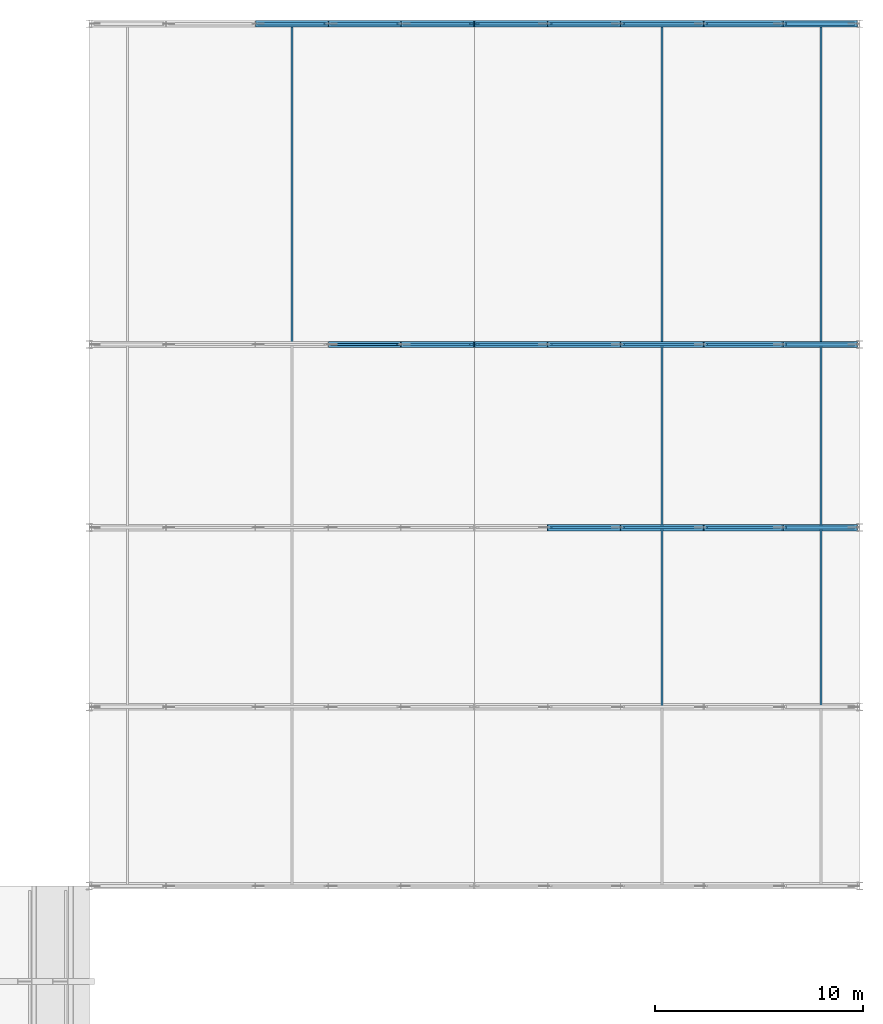
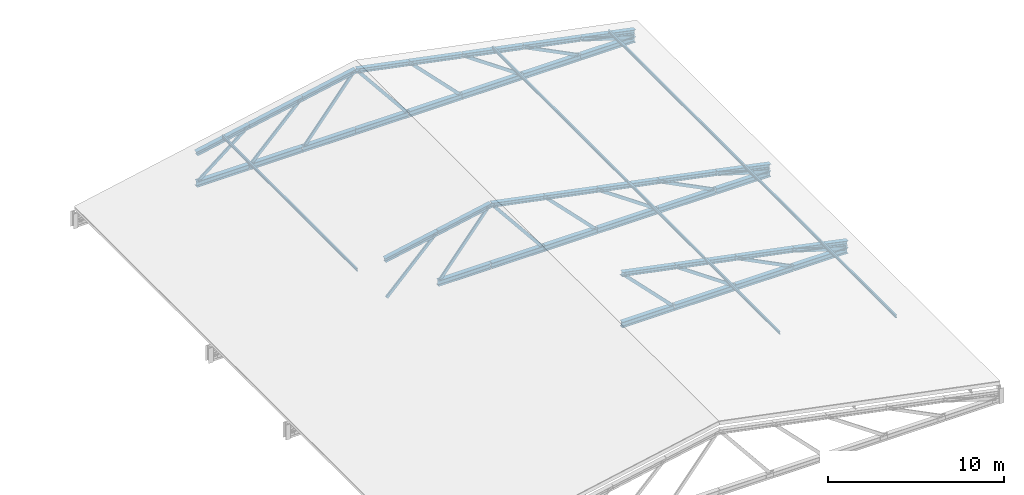
# One storey, part 18 of 47: 56 members, 7 beams.
"""IFC4 building model written with IfcOpenShell, lengths in metres."""

from ifc_helpers import new_model, si_unit, direction, frame, origin, origin_2d, place, context, subcontext, project, spatial, hollow_rectangle, i_section, extrude, material, material_profile, profile_set, type_object, element, save


model = new_model("IFC4")

# Units and contexts
model_context = context("Model", 3, precision=1e-05, world=origin(), true_north=direction((0.0, 1.0)))
body_context = subcontext(model_context, "Body", "Model", "MODEL_VIEW")
ifc_project = project(units=[si_unit("LENGTHUNIT", "METRE"), si_unit("AREAUNIT", "SQUARE_METRE"), si_unit("VOLUMEUNIT", "CUBIC_METRE"), si_unit("PLANEANGLEUNIT", "RADIAN"), si_unit("MASSUNIT", "GRAM", prefix="KILO")], contexts=[model_context])

# Site, building, storey
site_placement = place(None, origin())
site = spatial("IfcSite", under=ifc_project, at=site_placement, CompositionType="ELEMENT")
building_placement = place(site_placement, origin())
building = spatial("IfcBuilding", under=site, at=building_placement, Name="Muzn Square Opera House", CompositionType="ELEMENT")
storey_placement = place(building_placement, frame((0.0, 0.0, 31.0)))
storey = spatial("IfcBuildingStorey", under=building, at=storey_placement, Name="RF-1", CompositionType="ELEMENT", Elevation=31.0)

# Members
ifc_material = material(Name="Steel S355", Category="steel")
ifc_material_profile_1 = material_profile(ifc_material, hollow_rectangle(XDim=0.10009765625, YDim=0.199951171875, WallThickness=0.008056640625, at=origin_2d()), Name="RHS 200x100x8", Category="steel")
ifc_profile_set_1 = profile_set([ifc_material_profile_1], Name="Steel S355")
member_type_1 = type_object("IfcMemberType", Name="Pavilion Truss Brace RHS200x100", PredefinedType="BRACE", material=ifc_profile_set_1)
member_1_placement = place(storey_placement, frame((158.35009765625, 89.800048828125, -7.239990234375), z_axis=(-0.700529716954, 0.0, 0.713623230889), x_axis=(0.0, -1.0, 0.0)))
element("IfcMember", 1, at=member_1_placement, inside=storey, type_object=member_type_1, Name="Rehearsal Roof Truss Diagonal T3-6", PredefinedType="BRACE", context=body_context, shape_type="SweptSolid", body=[
    extrude(hollow_rectangle(XDim=0.10009765625, YDim=0.199951171875, WallThickness=0.008056640625, at=origin_2d()), origin(), (0.0, 0.0, 1.0), 4.568359375),
])
member_2_placement = place(storey_placement, frame((162.35009765625, 89.800048828125, -7.239990234375), z_axis=(-0.822360143896, 0.0, 0.568967304625), x_axis=(0.0, -1.0, 0.0)))
element("IfcMember", 2, at=member_2_placement, inside=storey, type_object=member_type_1, Name="Rehearsal Roof Truss Diagonal T3-7", PredefinedType="BRACE", context=body_context, shape_type="SweptSolid", body=[
    extrude(hollow_rectangle(XDim=0.10009765625, YDim=0.199951171875, WallThickness=0.008056640625, at=origin_2d()), origin(), (0.0, 0.0, 1.0), 4.49951171875),
])
member_3_placement = place(storey_placement, frame((166.14990234375, 89.800048828125, -7.239990234375), z_axis=(-0.893402826425, 0.0, 0.44925648547), x_axis=(0.0, -1.0, 0.0)))
element("IfcMember", 3, at=member_3_placement, inside=storey, type_object=member_type_1, Name="Rehearsal Roof Truss Diagonal T3-8", PredefinedType="BRACE", context=body_context, shape_type="SweptSolid", body=[
    extrude(hollow_rectangle(XDim=0.10009765625, YDim=0.199951171875, WallThickness=0.008056640625, at=origin_2d()), origin(), (0.0, 0.0, 1.0), 3.917724609375),
])
member_4_placement = place(storey_placement, frame((144.64990234375, 98.60009765625, -7.239990234375), z_axis=(0.700529716954, 0.0, 0.713623230889), x_axis=(0.0, 1.0, 0.0)))
element("IfcMember", 4, at=member_4_placement, inside=storey, type_object=member_type_1, Name="Rehearsal Roof Truss Diagonal T4-3", PredefinedType="BRACE", context=body_context, shape_type="SweptSolid", body=[
    extrude(hollow_rectangle(XDim=0.10009765625, YDim=0.199951171875, WallThickness=0.008056640625, at=origin_2d()), origin(), (0.0, 0.0, 1.0), 4.568359375),
])
for number, where, z_axis, x_axis, name in (
    (5, (148.14990234375, 98.60009765625, -7.239990234375), (0.62854691989, 0.0, 0.777771669256), (0.0, 1.0, 0.0), "Rehearsal Roof Truss Diagonal T4-4"),
    (6, (154.85009765625, 98.60009765625, -7.239990234375), (-0.62854691989, 0.0, 0.777771669256), (0.0, -1.0, 0.0), "Rehearsal Roof Truss Diagonal T4-5"),
):
    element("IfcMember", number, at=place(storey_placement, frame(where, z_axis=z_axis, x_axis=x_axis)), inside=storey, type_object=member_type_1, Name=name, PredefinedType="BRACE", context=body_context, shape_type="SweptSolid", body=[
        extrude(hollow_rectangle(XDim=0.10009765625, YDim=0.199951171875, WallThickness=0.008056640625, at=origin_2d()), origin(), (0.0, 0.0, 1.0), 5.09130859375),
    ])
member_5_placement = place(storey_placement, frame((158.35009765625, 98.60009765625, -7.239990234375), z_axis=(-0.700529716954, 0.0, 0.713623230889), x_axis=(0.0, -1.0, 0.0)))
element("IfcMember", 7, at=member_5_placement, inside=storey, type_object=member_type_1, Name="Rehearsal Roof Truss Diagonal T4-6", PredefinedType="BRACE", context=body_context, shape_type="SweptSolid", body=[
    extrude(hollow_rectangle(XDim=0.10009765625, YDim=0.199951171875, WallThickness=0.008056640625, at=origin_2d()), origin(), (0.0, 0.0, 1.0), 4.568359375),
])
member_6_placement = place(storey_placement, frame((162.35009765625, 98.60009765625, -7.239990234375), z_axis=(-0.822360143896, 0.0, 0.568967304625), x_axis=(0.0, -1.0, 0.0)))
element("IfcMember", 8, at=member_6_placement, inside=storey, type_object=member_type_1, Name="Rehearsal Roof Truss Diagonal T4-7", PredefinedType="BRACE", context=body_context, shape_type="SweptSolid", body=[
    extrude(hollow_rectangle(XDim=0.10009765625, YDim=0.199951171875, WallThickness=0.008056640625, at=origin_2d()), origin(), (0.0, 0.0, 1.0), 4.49951171875),
])
member_7_placement = place(storey_placement, frame((166.14990234375, 98.60009765625, -7.239990234375), z_axis=(-0.893402826425, 0.0, 0.44925648547), x_axis=(0.0, -1.0, 0.0)))
element("IfcMember", 9, at=member_7_placement, inside=storey, type_object=member_type_1, Name="Rehearsal Roof Truss Diagonal T4-8", PredefinedType="BRACE", context=body_context, shape_type="SweptSolid", body=[
    extrude(hollow_rectangle(XDim=0.10009765625, YDim=0.199951171875, WallThickness=0.008056640625, at=origin_2d()), origin(), (0.0, 0.0, 1.0), 3.917724609375),
])
member_8_placement = place(storey_placement, frame((141.14990234375, 114.0, -7.239990234375), z_axis=(0.780880433271, 0.0, 0.624680517492), x_axis=(0.0, 1.0, 0.0)))
element("IfcMember", 10, at=member_8_placement, inside=storey, type_object=member_type_1, Name="Rehearsal Roof Truss Diagonal T5-2", PredefinedType="BRACE", context=body_context, shape_type="SweptSolid", body=[
    extrude(hollow_rectangle(XDim=0.10009765625, YDim=0.199951171875, WallThickness=0.008056640625, at=origin_2d()), origin(), (0.0, 0.0, 1.0), 4.09814453125),
])
member_9_placement = place(storey_placement, frame((144.64990234375, 114.0, -7.239990234375), z_axis=(0.700529716954, 0.0, 0.713623230889), x_axis=(0.0, 1.0, 0.0)))
element("IfcMember", 11, at=member_9_placement, inside=storey, type_object=member_type_1, Name="Rehearsal Roof Truss Diagonal T5-3", PredefinedType="BRACE", context=body_context, shape_type="SweptSolid", body=[
    extrude(hollow_rectangle(XDim=0.10009765625, YDim=0.199951171875, WallThickness=0.008056640625, at=origin_2d()), origin(), (0.0, 0.0, 1.0), 4.568359375),
])
for number, where, z_axis, x_axis, name in (
    (12, (148.14990234375, 114.0, -7.239990234375), (0.62854691989, 0.0, 0.777771669256), (0.0, 1.0, 0.0), "Rehearsal Roof Truss Diagonal T5-4"),
    (13, (154.85009765625, 114.0, -7.239990234375), (-0.62854691989, 0.0, 0.777771669256), (0.0, -1.0, 0.0), "Rehearsal Roof Truss Diagonal T5-5"),
):
    element("IfcMember", number, at=place(storey_placement, frame(where, z_axis=z_axis, x_axis=x_axis)), inside=storey, type_object=member_type_1, Name=name, PredefinedType="BRACE", context=body_context, shape_type="SweptSolid", body=[
        extrude(hollow_rectangle(XDim=0.10009765625, YDim=0.199951171875, WallThickness=0.008056640625, at=origin_2d()), origin(), (0.0, 0.0, 1.0), 5.09130859375),
    ])
member_10_placement = place(storey_placement, frame((158.35009765625, 114.0, -7.239990234375), z_axis=(-0.700529716954, 0.0, 0.713623230889), x_axis=(0.0, -1.0, 0.0)))
element("IfcMember", 14, at=member_10_placement, inside=storey, type_object=member_type_1, Name="Rehearsal Roof Truss Diagonal T5-6", PredefinedType="BRACE", context=body_context, shape_type="SweptSolid", body=[
    extrude(hollow_rectangle(XDim=0.10009765625, YDim=0.199951171875, WallThickness=0.008056640625, at=origin_2d()), origin(), (0.0, 0.0, 1.0), 4.568359375),
])
member_11_placement = place(storey_placement, frame((162.35009765625, 114.0, -7.239990234375), z_axis=(-0.822360143896, 0.0, 0.568967304625), x_axis=(0.0, -1.0, 0.0)))
element("IfcMember", 15, at=member_11_placement, inside=storey, type_object=member_type_1, Name="Rehearsal Roof Truss Diagonal T5-7", PredefinedType="BRACE", context=body_context, shape_type="SweptSolid", body=[
    extrude(hollow_rectangle(XDim=0.10009765625, YDim=0.199951171875, WallThickness=0.008056640625, at=origin_2d()), origin(), (0.0, 0.0, 1.0), 4.49951171875),
])
member_12_placement = place(storey_placement, frame((166.14990234375, 114.0, -7.239990234375), z_axis=(-0.893402826425, 0.0, 0.44925648547), x_axis=(0.0, -1.0, 0.0)))
element("IfcMember", 16, at=member_12_placement, inside=storey, type_object=member_type_1, Name="Rehearsal Roof Truss Diagonal T5-8", PredefinedType="BRACE", context=body_context, shape_type="SweptSolid", body=[
    extrude(hollow_rectangle(XDim=0.10009765625, YDim=0.199951171875, WallThickness=0.008056640625, at=origin_2d()), origin(), (0.0, 0.0, 1.0), 3.917724609375),
])
ifc_material_profile_2 = material_profile(ifc_material, hollow_rectangle(XDim=0.14990234375, YDim=0.25, WallThickness=0.010009765625, at=origin_2d()), Name="RHS 250x150x10", Category="steel")
ifc_profile_set_2 = profile_set([ifc_material_profile_2], Name="Steel S355")
member_type_2 = type_object("IfcMemberType", Name="Pavilion Truss Brace RHS250x150", PredefinedType="BRACE", material=ifc_profile_set_2)
for number, where, z_axis, x_axis, name in (
    (17, (169.719970703125, 89.800048828125, -7.239990234375), (-0.95628392793, 0.0, 0.292439821472), (0.0, -1.0, 0.0), "Rehearsal Roof Truss Diagonal T3-9"),
    (18, (169.719970703125, 98.60009765625, -7.239990234375), (-0.95628392793, 0.0, 0.292439821472), (0.0, -1.0, 0.0), "Rehearsal Roof Truss Diagonal T4-9"),
    (19, (169.719970703125, 114.0, -7.239990234375), (-0.95628392793, 0.0, 0.292439821472), (0.0, -1.0, 0.0), "Rehearsal Roof Truss Diagonal T5-9"),
):
    element("IfcMember", number, at=place(storey_placement, frame(where, z_axis=z_axis, x_axis=x_axis)), inside=storey, type_object=member_type_2, Name=name, PredefinedType="BRACE", context=body_context, shape_type="SweptSolid", body=[
        extrude(hollow_rectangle(XDim=0.14990234375, YDim=0.25, WallThickness=0.010009765625, at=origin_2d()), origin(), (0.0, 0.0, 1.0), 3.41943359375),
    ])
ifc_material_profile_3 = material_profile(ifc_material, i_section(OverallWidth=0.300048828125, OverallDepth=0.389892578125, WebThickness=0.010986328125, FlangeThickness=0.01904296875, FilletRadius=0.027099609375, at=origin_2d()), Name="HEA 400", Category="steel")
ifc_profile_set_3 = profile_set([ifc_material_profile_3], Name="Steel S355")
member_type_3 = type_object("IfcMemberType", Name="Rehearsal Truss Chord HEA400", PredefinedType="CHORD", material=ifc_profile_set_3)
member_13_placement = place(storey_placement, frame((155.010009765625, 89.800048828125, -7.3798828125), z_axis=(1.0, 0.0, 0.0), x_axis=(0.0, 1.0, 0.0)))
element("IfcMember", 20, at=member_13_placement, inside=storey, type_object=member_type_3, Name="Rehearsal Roof Truss Bottom Chord T3-6", PredefinedType="CHORD", context=body_context, shape_type="SweptSolid", body=[
    extrude(i_section(OverallWidth=0.300048828125, OverallDepth=0.389892578125, WebThickness=0.010986328125, FlangeThickness=0.01904296875, FilletRadius=0.027099609375, at=origin_2d()), origin(), (0.0, 0.0, 1.0), 3.47998046875),
])
member_14_placement = place(storey_placement, frame((158.510009765625, 89.800048828125, -7.3798828125), z_axis=(1.0, 0.0, 0.0), x_axis=(0.0, 1.0, 0.0)))
element("IfcMember", 21, at=member_14_placement, inside=storey, type_object=member_type_3, Name="Rehearsal Roof Truss Bottom Chord T3-7", PredefinedType="CHORD", context=body_context, shape_type="SweptSolid", body=[
    extrude(i_section(OverallWidth=0.300048828125, OverallDepth=0.389892578125, WebThickness=0.010986328125, FlangeThickness=0.01904296875, FilletRadius=0.027099609375, at=origin_2d()), origin(), (0.0, 0.0, 1.0), 3.97998046875),
])
member_15_placement = place(storey_placement, frame((162.510009765625, 89.800048828125, -7.3798828125), z_axis=(1.0, 0.0, 0.0), x_axis=(0.0, 1.0, 0.0)))
element("IfcMember", 22, at=member_15_placement, inside=storey, type_object=member_type_3, Name="Rehearsal Roof Truss Bottom Chord T3-8", PredefinedType="CHORD", context=body_context, shape_type="SweptSolid", body=[
    extrude(i_section(OverallWidth=0.300048828125, OverallDepth=0.389892578125, WebThickness=0.010986328125, FlangeThickness=0.01904296875, FilletRadius=0.027099609375, at=origin_2d()), origin(), (0.0, 0.0, 1.0), 3.780029296875),
])
member_16_placement = place(storey_placement, frame((166.31005859375, 89.800048828125, -7.3798828125), z_axis=(1.0, 0.0, 0.0), x_axis=(0.0, 1.0, 0.0)))
element("IfcMember", 23, at=member_16_placement, inside=storey, type_object=member_type_3, Name="Rehearsal Roof Truss Bottom Chord T3-9", PredefinedType="CHORD", context=body_context, shape_type="SweptSolid", body=[
    extrude(i_section(OverallWidth=0.300048828125, OverallDepth=0.389892578125, WebThickness=0.010986328125, FlangeThickness=0.01904296875, FilletRadius=0.027099609375, at=origin_2d()), origin(), (0.0, 0.0, 1.0), 3.550048828125),
])
for number, where, z_axis, x_axis, name in (
    (24, (148.010009765625, 98.60009765625, -7.3798828125), (1.0, 0.0, 0.0), (0.0, 1.0, 0.0), "Rehearsal Roof Truss Bottom Chord T4-4"),
    (25, (151.510009765625, 98.60009765625, -7.3798828125), (1.0, 0.0, 0.0), (0.0, 1.0, 0.0), "Rehearsal Roof Truss Bottom Chord T4-5"),
    (26, (155.010009765625, 98.60009765625, -7.3798828125), (1.0, 0.0, 0.0), (0.0, 1.0, 0.0), "Rehearsal Roof Truss Bottom Chord T4-6"),
):
    element("IfcMember", number, at=place(storey_placement, frame(where, z_axis=z_axis, x_axis=x_axis)), inside=storey, type_object=member_type_3, Name=name, PredefinedType="CHORD", context=body_context, shape_type="SweptSolid", body=[
        extrude(i_section(OverallWidth=0.300048828125, OverallDepth=0.389892578125, WebThickness=0.010986328125, FlangeThickness=0.01904296875, FilletRadius=0.027099609375, at=origin_2d()), origin(), (0.0, 0.0, 1.0), 3.47998046875),
    ])
member_17_placement = place(storey_placement, frame((158.510009765625, 98.60009765625, -7.3798828125), z_axis=(1.0, 0.0, 0.0), x_axis=(0.0, 1.0, 0.0)))
element("IfcMember", 27, at=member_17_placement, inside=storey, type_object=member_type_3, Name="Rehearsal Roof Truss Bottom Chord T4-7", PredefinedType="CHORD", context=body_context, shape_type="SweptSolid", body=[
    extrude(i_section(OverallWidth=0.300048828125, OverallDepth=0.389892578125, WebThickness=0.010986328125, FlangeThickness=0.01904296875, FilletRadius=0.027099609375, at=origin_2d()), origin(), (0.0, 0.0, 1.0), 3.97998046875),
])
member_18_placement = place(storey_placement, frame((162.510009765625, 98.60009765625, -7.3798828125), z_axis=(1.0, 0.0, 0.0), x_axis=(0.0, 1.0, 0.0)))
element("IfcMember", 28, at=member_18_placement, inside=storey, type_object=member_type_3, Name="Rehearsal Roof Truss Bottom Chord T4-8", PredefinedType="CHORD", context=body_context, shape_type="SweptSolid", body=[
    extrude(i_section(OverallWidth=0.300048828125, OverallDepth=0.389892578125, WebThickness=0.010986328125, FlangeThickness=0.01904296875, FilletRadius=0.027099609375, at=origin_2d()), origin(), (0.0, 0.0, 1.0), 3.780029296875),
])
member_19_placement = place(storey_placement, frame((166.31005859375, 98.60009765625, -7.3798828125), z_axis=(1.0, 0.0, 0.0), x_axis=(0.0, 1.0, 0.0)))
element("IfcMember", 29, at=member_19_placement, inside=storey, type_object=member_type_3, Name="Rehearsal Roof Truss Bottom Chord T4-9", PredefinedType="CHORD", context=body_context, shape_type="SweptSolid", body=[
    extrude(i_section(OverallWidth=0.300048828125, OverallDepth=0.389892578125, WebThickness=0.010986328125, FlangeThickness=0.01904296875, FilletRadius=0.027099609375, at=origin_2d()), origin(), (0.0, 0.0, 1.0), 3.550048828125),
])
for number, where, z_axis, x_axis, name in (
    (30, (141.010009765625, 114.0, -7.3798828125), (1.0, 0.0, 0.0), (0.0, 1.0, 0.0), "Rehearsal Roof Truss Bottom Chord T5-2"),
    (31, (144.510009765625, 114.0, -7.3798828125), (1.0, 0.0, 0.0), (0.0, 1.0, 0.0), "Rehearsal Roof Truss Bottom Chord T5-3"),
    (32, (148.010009765625, 114.0, -7.3798828125), (1.0, 0.0, 0.0), (0.0, 1.0, 0.0), "Rehearsal Roof Truss Bottom Chord T5-4"),
    (33, (151.510009765625, 114.0, -7.3798828125), (1.0, 0.0, 0.0), (0.0, 1.0, 0.0), "Rehearsal Roof Truss Bottom Chord T5-5"),
    (34, (155.010009765625, 114.0, -7.3798828125), (1.0, 0.0, 0.0), (0.0, 1.0, 0.0), "Rehearsal Roof Truss Bottom Chord T5-6"),
):
    element("IfcMember", number, at=place(storey_placement, frame(where, z_axis=z_axis, x_axis=x_axis)), inside=storey, type_object=member_type_3, Name=name, PredefinedType="CHORD", context=body_context, shape_type="SweptSolid", body=[
        extrude(i_section(OverallWidth=0.300048828125, OverallDepth=0.389892578125, WebThickness=0.010986328125, FlangeThickness=0.01904296875, FilletRadius=0.027099609375, at=origin_2d()), origin(), (0.0, 0.0, 1.0), 3.47998046875),
    ])
member_20_placement = place(storey_placement, frame((158.510009765625, 114.0, -7.3798828125), z_axis=(1.0, 0.0, 0.0), x_axis=(0.0, 1.0, 0.0)))
element("IfcMember", 35, at=member_20_placement, inside=storey, type_object=member_type_3, Name="Rehearsal Roof Truss Bottom Chord T5-7", PredefinedType="CHORD", context=body_context, shape_type="SweptSolid", body=[
    extrude(i_section(OverallWidth=0.300048828125, OverallDepth=0.389892578125, WebThickness=0.010986328125, FlangeThickness=0.01904296875, FilletRadius=0.027099609375, at=origin_2d()), origin(), (0.0, 0.0, 1.0), 3.97998046875),
])
member_21_placement = place(storey_placement, frame((162.510009765625, 114.0, -7.3798828125), z_axis=(1.0, 0.0, 0.0), x_axis=(0.0, 1.0, 0.0)))
element("IfcMember", 36, at=member_21_placement, inside=storey, type_object=member_type_3, Name="Rehearsal Roof Truss Bottom Chord T5-8", PredefinedType="CHORD", context=body_context, shape_type="SweptSolid", body=[
    extrude(i_section(OverallWidth=0.300048828125, OverallDepth=0.389892578125, WebThickness=0.010986328125, FlangeThickness=0.01904296875, FilletRadius=0.027099609375, at=origin_2d()), origin(), (0.0, 0.0, 1.0), 3.780029296875),
])
member_22_placement = place(storey_placement, frame((166.31005859375, 114.0, -7.3798828125), z_axis=(1.0, 0.0, 0.0), x_axis=(0.0, 1.0, 0.0)))
element("IfcMember", 37, at=member_22_placement, inside=storey, type_object=member_type_3, Name="Rehearsal Roof Truss Bottom Chord T5-9", PredefinedType="CHORD", context=body_context, shape_type="SweptSolid", body=[
    extrude(i_section(OverallWidth=0.300048828125, OverallDepth=0.389892578125, WebThickness=0.010986328125, FlangeThickness=0.01904296875, FilletRadius=0.027099609375, at=origin_2d()), origin(), (0.0, 0.0, 1.0), 3.550048828125),
])

# Beams
ifc_material_profile_4 = material_profile(ifc_material, i_section(OverallWidth=0.10009765625, OverallDepth=0.199951171875, WebThickness=0.005615234375, FlangeThickness=0.008544921875, FilletRadius=0.011962890625, at=origin_2d()), Name="IPE 200", Category="steel")
ifc_profile_set_4 = profile_set([ifc_material_profile_4], Name="Steel S355")
beam_type = type_object("IfcBeamType", Name="Roof Purlin IPE200", PredefinedType="USERDEFINED", material=ifc_profile_set_4)
beam_1_placement = place(storey_placement, frame((142.75, 98.6201171875, -4.673095703125), z_axis=(0.0, 1.0, 0.0), x_axis=(-1.0, 0.0, 0.0)))
element("IfcBeam", 38, at=beam_1_placement, inside=storey, type_object=beam_type, Name="Rehearsal Roof Purlin RHPU-02-3", ObjectType="PURLIN", PredefinedType="USERDEFINED", context=body_context, shape_type="SweptSolid", body=[
    extrude(i_section(OverallWidth=0.10009765625, OverallDepth=0.199951171875, WebThickness=0.005615234375, FlangeThickness=0.008544921875, FilletRadius=0.011962890625, at=origin_2d()), origin(), (0.0, 0.0, 1.0), 15.35986328125),
])
beam_2_placement = place(storey_placement, frame((160.5, 81.219970703125, -4.722900390625), z_axis=(0.0, 1.0, 0.0), x_axis=(-1.0, 0.0, 0.0)))
element("IfcBeam", 39, at=beam_2_placement, inside=storey, type_object=beam_type, Name="Rehearsal Roof Purlin RHPU-03-1", ObjectType="PURLIN", PredefinedType="USERDEFINED", context=body_context, shape_type="SweptSolid", body=[
    extrude(i_section(OverallWidth=0.10009765625, OverallDepth=0.199951171875, WebThickness=0.005615234375, FlangeThickness=0.008544921875, FilletRadius=0.011962890625, at=origin_2d()), origin(), (0.0, 0.0, 1.0), 8.56005859375),
])
beam_3_placement = place(storey_placement, frame((160.5, 89.820068359375, -4.722900390625), z_axis=(0.0, 1.0, 0.0), x_axis=(-1.0, 0.0, 0.0)))
element("IfcBeam", 40, at=beam_3_placement, inside=storey, type_object=beam_type, Name="Rehearsal Roof Purlin RHPU-03-2", ObjectType="PURLIN", PredefinedType="USERDEFINED", context=body_context, shape_type="SweptSolid", body=[
    extrude(i_section(OverallWidth=0.10009765625, OverallDepth=0.199951171875, WebThickness=0.005615234375, FlangeThickness=0.008544921875, FilletRadius=0.011962890625, at=origin_2d()), origin(), (0.0, 0.0, 1.0), 8.760009765625),
])
beam_4_placement = place(storey_placement, frame((160.5, 98.6201171875, -4.722900390625), z_axis=(0.0, 1.0, 0.0), x_axis=(-1.0, 0.0, 0.0)))
element("IfcBeam", 41, at=beam_4_placement, inside=storey, type_object=beam_type, Name="Rehearsal Roof Purlin RHPU-03-3", ObjectType="PURLIN", PredefinedType="USERDEFINED", context=body_context, shape_type="SweptSolid", body=[
    extrude(i_section(OverallWidth=0.10009765625, OverallDepth=0.199951171875, WebThickness=0.005615234375, FlangeThickness=0.008544921875, FilletRadius=0.011962890625, at=origin_2d()), origin(), (0.0, 0.0, 1.0), 15.35986328125),
])
beam_5_placement = place(storey_placement, frame((168.14990234375, 81.219970703125, -6.2529296875), z_axis=(0.0, 1.0, 0.0), x_axis=(-1.0, 0.0, 0.0)))
element("IfcBeam", 42, at=beam_5_placement, inside=storey, type_object=beam_type, Name="Rehearsal Roof Purlin RHPU-04-1", ObjectType="PURLIN", PredefinedType="USERDEFINED", context=body_context, shape_type="SweptSolid", body=[
    extrude(i_section(OverallWidth=0.10009765625, OverallDepth=0.199951171875, WebThickness=0.005615234375, FlangeThickness=0.008544921875, FilletRadius=0.011962890625, at=origin_2d()), origin(), (0.0, 0.0, 1.0), 8.56005859375),
])
beam_6_placement = place(storey_placement, frame((168.14990234375, 89.820068359375, -6.2529296875), z_axis=(0.0, 1.0, 0.0), x_axis=(-1.0, 0.0, 0.0)))
element("IfcBeam", 43, at=beam_6_placement, inside=storey, type_object=beam_type, Name="Rehearsal Roof Purlin RHPU-04-2", ObjectType="PURLIN", PredefinedType="USERDEFINED", context=body_context, shape_type="SweptSolid", body=[
    extrude(i_section(OverallWidth=0.10009765625, OverallDepth=0.199951171875, WebThickness=0.005615234375, FlangeThickness=0.008544921875, FilletRadius=0.011962890625, at=origin_2d()), origin(), (0.0, 0.0, 1.0), 8.760009765625),
])
beam_7_placement = place(storey_placement, frame((168.14990234375, 98.6201171875, -6.2529296875), z_axis=(0.0, 1.0, 0.0), x_axis=(-1.0, 0.0, 0.0)))
element("IfcBeam", 44, at=beam_7_placement, inside=storey, type_object=beam_type, Name="Rehearsal Roof Purlin RHPU-04-3", ObjectType="PURLIN", PredefinedType="USERDEFINED", context=body_context, shape_type="SweptSolid", body=[
    extrude(i_section(OverallWidth=0.10009765625, OverallDepth=0.199951171875, WebThickness=0.005615234375, FlangeThickness=0.008544921875, FilletRadius=0.011962890625, at=origin_2d()), origin(), (0.0, 0.0, 1.0), 15.35986328125),
])

# Members
ifc_material_profile_5 = material_profile(ifc_material, i_section(OverallWidth=0.300048828125, OverallDepth=0.2900390625, WebThickness=0.008544921875, FlangeThickness=0.013916015625, FilletRadius=0.027099609375, at=origin_2d()), Name="HEA 300", Category="steel")
ifc_profile_set_5 = profile_set([ifc_material_profile_5], Name="Steel S355")
member_type_4 = type_object("IfcMemberType", Name="Secondary Truss Chord HEA300", PredefinedType="CHORD", material=ifc_profile_set_5)
member_23_placement = place(storey_placement, frame((155.010009765625, 89.800048828125, -3.860107421875), z_axis=(0.980365819583, 0.0, -0.197187372299), x_axis=(0.0, 1.0, 0.0)))
element("IfcMember", 45, at=member_23_placement, inside=storey, type_object=member_type_4, Name="Rehearsal Roof Truss Top Chord T3-6", PredefinedType="CHORD", context=body_context, shape_type="SweptSolid", body=[
    extrude(i_section(OverallWidth=0.300048828125, OverallDepth=0.2900390625, WebThickness=0.008544921875, FlangeThickness=0.013916015625, FilletRadius=0.027099609375, at=origin_2d()), origin(), (0.0, 0.0, 1.0), 3.549560546875),
])
member_24_placement = place(storey_placement, frame((158.510009765625, 89.800048828125, -4.56005859375), z_axis=(0.980388223218, 0.0, -0.19707595433), x_axis=(0.0, 1.0, 0.0)))
element("IfcMember", 46, at=member_24_placement, inside=storey, type_object=member_type_4, Name="Rehearsal Roof Truss Top Chord T3-7", PredefinedType="CHORD", context=body_context, shape_type="SweptSolid", body=[
    extrude(i_section(OverallWidth=0.300048828125, OverallDepth=0.2900390625, WebThickness=0.008544921875, FlangeThickness=0.013916015625, FilletRadius=0.027099609375, at=origin_2d()), origin(), (0.0, 0.0, 1.0), 4.0595703125),
])
member_25_placement = place(storey_placement, frame((162.510009765625, 89.800048828125, -5.360107421875), z_axis=(0.980380466404, 0.0, -0.197114538004), x_axis=(0.0, 1.0, 0.0)))
element("IfcMember", 47, at=member_25_placement, inside=storey, type_object=member_type_4, Name="Rehearsal Roof Truss Top Chord T3-8", PredefinedType="CHORD", context=body_context, shape_type="SweptSolid", body=[
    extrude(i_section(OverallWidth=0.300048828125, OverallDepth=0.2900390625, WebThickness=0.008544921875, FlangeThickness=0.013916015625, FilletRadius=0.027099609375, at=origin_2d()), origin(), (0.0, 0.0, 1.0), 3.855712890625),
])
member_26_placement = place(storey_placement, frame((166.31005859375, 89.800048828125, -6.1201171875), z_axis=(0.978958570223, 0.0, -0.204059103662), x_axis=(0.0, 1.0, 0.0)))
element("IfcMember", 48, at=member_26_placement, inside=storey, type_object=member_type_4, Name="Rehearsal Roof Truss Top Chord T3-9", PredefinedType="CHORD", context=body_context, shape_type="SweptSolid", body=[
    extrude(i_section(OverallWidth=0.300048828125, OverallDepth=0.2900390625, WebThickness=0.008544921875, FlangeThickness=0.013916015625, FilletRadius=0.027099609375, at=origin_2d()), origin(), (0.0, 0.0, 1.0), 3.62646484375),
])
member_27_placement = place(storey_placement, frame((144.510009765625, 98.60009765625, -4.56005859375), z_axis=(0.980365819583, 0.0, 0.197187372299), x_axis=(0.0, 1.0, 0.0)))
element("IfcMember", 49, at=member_27_placement, inside=storey, type_object=member_type_4, Name="Rehearsal Roof Truss Top Chord T4-3", PredefinedType="CHORD", context=body_context, shape_type="SweptSolid", body=[
    extrude(i_section(OverallWidth=0.300048828125, OverallDepth=0.2900390625, WebThickness=0.008544921875, FlangeThickness=0.013916015625, FilletRadius=0.027099609375, at=origin_2d()), origin(), (0.0, 0.0, 1.0), 3.549560546875),
])
for number, where, z_axis, x_axis, name in (
    (50, (148.010009765625, 98.60009765625, -3.860107421875), (0.980352521606, 0.0, 0.197253474952), (0.0, 1.0, 0.0), "Rehearsal Roof Truss Top Chord T4-4"),
    (51, (151.510009765625, 98.60009765625, -3.159912109375), (0.980352521606, 0.0, -0.197253474952), (0.0, 1.0, 0.0), "Rehearsal Roof Truss Top Chord T4-5"),
):
    element("IfcMember", number, at=place(storey_placement, frame(where, z_axis=z_axis, x_axis=x_axis)), inside=storey, type_object=member_type_4, Name=name, PredefinedType="CHORD", context=body_context, shape_type="SweptSolid", body=[
        extrude(i_section(OverallWidth=0.300048828125, OverallDepth=0.2900390625, WebThickness=0.008544921875, FlangeThickness=0.013916015625, FilletRadius=0.027099609375, at=origin_2d()), origin(), (0.0, 0.0, 1.0), 3.5498046875),
    ])
member_28_placement = place(storey_placement, frame((155.010009765625, 98.60009765625, -3.860107421875), z_axis=(0.980365819583, 0.0, -0.197187372299), x_axis=(0.0, 1.0, 0.0)))
element("IfcMember", 52, at=member_28_placement, inside=storey, type_object=member_type_4, Name="Rehearsal Roof Truss Top Chord T4-6", PredefinedType="CHORD", context=body_context, shape_type="SweptSolid", body=[
    extrude(i_section(OverallWidth=0.300048828125, OverallDepth=0.2900390625, WebThickness=0.008544921875, FlangeThickness=0.013916015625, FilletRadius=0.027099609375, at=origin_2d()), origin(), (0.0, 0.0, 1.0), 3.549560546875),
])
member_29_placement = place(storey_placement, frame((158.510009765625, 98.60009765625, -4.56005859375), z_axis=(0.980388223218, 0.0, -0.19707595433), x_axis=(0.0, 1.0, 0.0)))
element("IfcMember", 53, at=member_29_placement, inside=storey, type_object=member_type_4, Name="Rehearsal Roof Truss Top Chord T4-7", PredefinedType="CHORD", context=body_context, shape_type="SweptSolid", body=[
    extrude(i_section(OverallWidth=0.300048828125, OverallDepth=0.2900390625, WebThickness=0.008544921875, FlangeThickness=0.013916015625, FilletRadius=0.027099609375, at=origin_2d()), origin(), (0.0, 0.0, 1.0), 4.0595703125),
])
member_30_placement = place(storey_placement, frame((162.510009765625, 98.60009765625, -5.360107421875), z_axis=(0.980380466404, 0.0, -0.197114538004), x_axis=(0.0, 1.0, 0.0)))
element("IfcMember", 54, at=member_30_placement, inside=storey, type_object=member_type_4, Name="Rehearsal Roof Truss Top Chord T4-8", PredefinedType="CHORD", context=body_context, shape_type="SweptSolid", body=[
    extrude(i_section(OverallWidth=0.300048828125, OverallDepth=0.2900390625, WebThickness=0.008544921875, FlangeThickness=0.013916015625, FilletRadius=0.027099609375, at=origin_2d()), origin(), (0.0, 0.0, 1.0), 3.855712890625),
])
member_31_placement = place(storey_placement, frame((166.31005859375, 98.60009765625, -6.1201171875), z_axis=(0.978958570223, 0.0, -0.204059103662), x_axis=(0.0, 1.0, 0.0)))
element("IfcMember", 55, at=member_31_placement, inside=storey, type_object=member_type_4, Name="Rehearsal Roof Truss Top Chord T4-9", PredefinedType="CHORD", context=body_context, shape_type="SweptSolid", body=[
    extrude(i_section(OverallWidth=0.300048828125, OverallDepth=0.2900390625, WebThickness=0.008544921875, FlangeThickness=0.013916015625, FilletRadius=0.027099609375, at=origin_2d()), origin(), (0.0, 0.0, 1.0), 3.62646484375),
])
for number, where, z_axis, x_axis, name in (
    (56, (141.010009765625, 114.0, -5.260009765625), (0.980365819583, 0.0, 0.197187372299), (0.0, 1.0, 0.0), "Rehearsal Roof Truss Top Chord T5-2"),
    (57, (144.510009765625, 114.0, -4.56005859375), (0.980365819583, 0.0, 0.197187372299), (0.0, 1.0, 0.0), "Rehearsal Roof Truss Top Chord T5-3"),
):
    element("IfcMember", number, at=place(storey_placement, frame(where, z_axis=z_axis, x_axis=x_axis)), inside=storey, type_object=member_type_4, Name=name, PredefinedType="CHORD", context=body_context, shape_type="SweptSolid", body=[
        extrude(i_section(OverallWidth=0.300048828125, OverallDepth=0.2900390625, WebThickness=0.008544921875, FlangeThickness=0.013916015625, FilletRadius=0.027099609375, at=origin_2d()), origin(), (0.0, 0.0, 1.0), 3.549560546875),
    ])
for number, where, z_axis, x_axis, name in (
    (58, (148.010009765625, 114.0, -3.860107421875), (0.980352521606, 0.0, 0.197253474952), (0.0, 1.0, 0.0), "Rehearsal Roof Truss Top Chord T5-4"),
    (59, (151.510009765625, 114.0, -3.159912109375), (0.980352521606, 0.0, -0.197253474952), (0.0, 1.0, 0.0), "Rehearsal Roof Truss Top Chord T5-5"),
):
    element("IfcMember", number, at=place(storey_placement, frame(where, z_axis=z_axis, x_axis=x_axis)), inside=storey, type_object=member_type_4, Name=name, PredefinedType="CHORD", context=body_context, shape_type="SweptSolid", body=[
        extrude(i_section(OverallWidth=0.300048828125, OverallDepth=0.2900390625, WebThickness=0.008544921875, FlangeThickness=0.013916015625, FilletRadius=0.027099609375, at=origin_2d()), origin(), (0.0, 0.0, 1.0), 3.5498046875),
    ])
member_32_placement = place(storey_placement, frame((155.010009765625, 114.0, -3.860107421875), z_axis=(0.980365819583, 0.0, -0.197187372299), x_axis=(0.0, 1.0, 0.0)))
element("IfcMember", 60, at=member_32_placement, inside=storey, type_object=member_type_4, Name="Rehearsal Roof Truss Top Chord T5-6", PredefinedType="CHORD", context=body_context, shape_type="SweptSolid", body=[
    extrude(i_section(OverallWidth=0.300048828125, OverallDepth=0.2900390625, WebThickness=0.008544921875, FlangeThickness=0.013916015625, FilletRadius=0.027099609375, at=origin_2d()), origin(), (0.0, 0.0, 1.0), 3.549560546875),
])
member_33_placement = place(storey_placement, frame((158.510009765625, 114.0, -4.56005859375), z_axis=(0.980388223218, 0.0, -0.19707595433), x_axis=(0.0, 1.0, 0.0)))
element("IfcMember", 61, at=member_33_placement, inside=storey, type_object=member_type_4, Name="Rehearsal Roof Truss Top Chord T5-7", PredefinedType="CHORD", context=body_context, shape_type="SweptSolid", body=[
    extrude(i_section(OverallWidth=0.300048828125, OverallDepth=0.2900390625, WebThickness=0.008544921875, FlangeThickness=0.013916015625, FilletRadius=0.027099609375, at=origin_2d()), origin(), (0.0, 0.0, 1.0), 4.0595703125),
])
member_34_placement = place(storey_placement, frame((162.510009765625, 114.0, -5.360107421875), z_axis=(0.980380466404, 0.0, -0.197114538004), x_axis=(0.0, 1.0, 0.0)))
element("IfcMember", 62, at=member_34_placement, inside=storey, type_object=member_type_4, Name="Rehearsal Roof Truss Top Chord T5-8", PredefinedType="CHORD", context=body_context, shape_type="SweptSolid", body=[
    extrude(i_section(OverallWidth=0.300048828125, OverallDepth=0.2900390625, WebThickness=0.008544921875, FlangeThickness=0.013916015625, FilletRadius=0.027099609375, at=origin_2d()), origin(), (0.0, 0.0, 1.0), 3.855712890625),
])
member_35_placement = place(storey_placement, frame((166.31005859375, 114.0, -6.1201171875), z_axis=(0.978958570223, 0.0, -0.204059103662), x_axis=(0.0, 1.0, 0.0)))
element("IfcMember", 63, at=member_35_placement, inside=storey, type_object=member_type_4, Name="Rehearsal Roof Truss Top Chord T5-9", PredefinedType="CHORD", context=body_context, shape_type="SweptSolid", body=[
    extrude(i_section(OverallWidth=0.300048828125, OverallDepth=0.2900390625, WebThickness=0.008544921875, FlangeThickness=0.013916015625, FilletRadius=0.027099609375, at=origin_2d()), origin(), (0.0, 0.0, 1.0), 3.62646484375),
])

save(model, "model.ifc")
